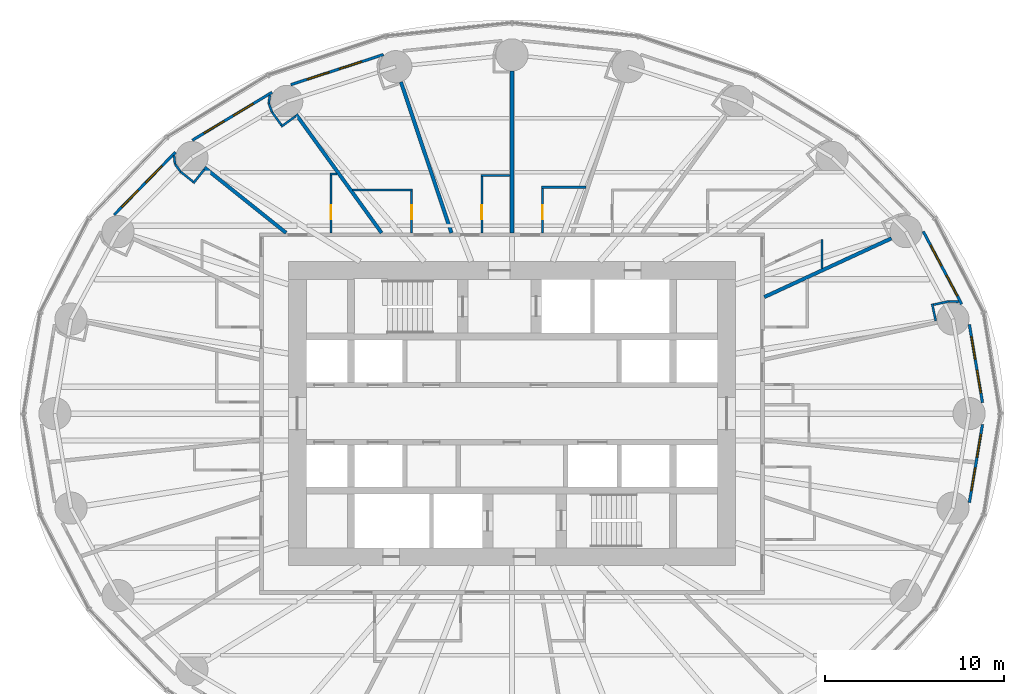
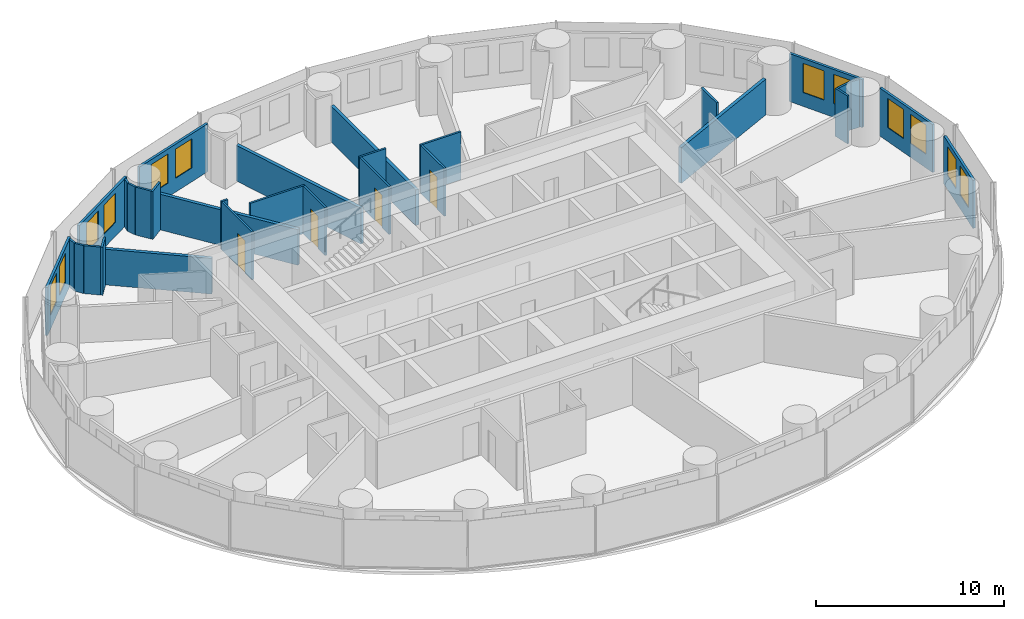
# One storey, part 10 of 13: 31 walls, 12 windows, 4 doors, 16 openings.
"""IFC4 building model written with IfcOpenShell, lengths in metres."""

import ifcopenshell
import ifcopenshell.guid

model = None  # the IFC model being written
_history = None  # IfcOwnerHistory: only IFC2X3 demands one
_inside = {}  # id of a spatial element -> (the spatial element, [elements in it])
_under = {}  # id of a project, library or spatial element -> (it, [spatial elements below it])
_declared = {}  # id of a project -> (the project, [libraries it declares])
_typed = {}  # id of a type object -> (the type object, [elements of that type])
_made_of = {}  # id of a material, layer set ... -> (it, [elements and type objects made of it])


def new_model(schema):
    """Start an empty IFC model of exactly this schema.

    Asked for "IFC4X3", IfcOpenShell would pick the latest addendum, in which some entities
    have other attributes; the version numbers below select the first issue.
    IFC2X3 requires an IfcOwnerHistory on every rooted entity: one is made here for all.
    """
    global model, _history
    if schema == "IFC4X3":
        model = ifcopenshell.file(schema_version=(4, 3, 0, 0))
    else:
        model = ifcopenshell.file(schema=schema)
    _inside.clear()
    _under.clear()
    _declared.clear()
    _typed.clear()
    _made_of.clear()
    _history = None
    if model.schema == "IFC2X3":
        org = make("IfcOrganization", Name="unknown")
        user = make(
            "IfcPersonAndOrganization",
            ThePerson=make("IfcPerson", FamilyName="unknown"),
            TheOrganization=org,
        )
        app = make(
            "IfcApplication",
            ApplicationDeveloper=org,
            Version="unknown",
            ApplicationFullName="unknown",
            ApplicationIdentifier="unknown",
        )
        _history = make(
            "IfcOwnerHistory",
            OwningUser=user,
            OwningApplication=app,
            ChangeAction="ADDED",
            CreationDate=0,
        )
    return model


def make(cls, **values):
    """One entity of the class cls with the attributes given. An attribute that is None is left unset."""
    return model.create_entity(
        cls, **{name: value for name, value in values.items() if value is not None}
    )


def rooted(cls, **values):
    """An entity with a GlobalId (a new one), such as an element, a storey or a relation."""
    return make(cls, GlobalId=ifcopenshell.guid.new(), OwnerHistory=_history, **values)


def si_unit(unit_type, name, prefix=None):
    """IfcSIUnit, for example si_unit("LENGTHUNIT", "METRE", prefix="MILLI")."""
    return make("IfcSIUnit", UnitType=unit_type, Prefix=prefix, Name=name)


def assignment(units):
    """IfcUnitAssignment: the units of a project."""
    return None if units is None else make("IfcUnitAssignment", Units=units)


def point(xyz):
    """IfcCartesianPoint."""
    return None if xyz is None else make("IfcCartesianPoint", Coordinates=xyz)


def direction(xyz):
    """IfcDirection."""
    return None if xyz is None else make("IfcDirection", DirectionRatios=xyz)


def frame(location, z_axis=None, x_axis=None):
    """IfcAxis2Placement3D, a coordinate frame: its origin and axes. An axis left out is left unset."""
    return make(
        "IfcAxis2Placement3D",
        Location=point(location),
        Axis=direction(z_axis),
        RefDirection=direction(x_axis),
    )


def frame_2d(location, x_axis=None):
    """IfcAxis2Placement2D, a coordinate frame in the plane: its origin and x axis."""
    return make(
        "IfcAxis2Placement2D", Location=point(location), RefDirection=direction(x_axis)
    )


def origin():
    """The frame at (0, 0, 0) with its axes left unset."""
    return frame((0.0, 0.0, 0.0))


def place(relative_to, where):
    """IfcLocalPlacement: puts the frame where relative to a parent placement (None: the world)."""
    return make(
        "IfcLocalPlacement", PlacementRelTo=relative_to, RelativePlacement=where
    )


def context(
    kind, dimensions, precision=None, world=None, true_north=None, identifier=None
):
    """IfcGeometricRepresentationContext, for example the 3D "Model" context."""
    return make(
        "IfcGeometricRepresentationContext",
        ContextIdentifier=identifier,
        ContextType=kind,
        CoordinateSpaceDimension=dimensions,
        Precision=precision,
        WorldCoordinateSystem=world,
        TrueNorth=true_north,
    )


def subcontext(parent, identifier, kind, view, scale=None):
    """IfcGeometricRepresentationSubContext, for example "Body" below "Model"."""
    return make(
        "IfcGeometricRepresentationSubContext",
        ContextIdentifier=identifier,
        ContextType=kind,
        ParentContext=parent,
        TargetScale=scale,
        TargetView=view,
    )


def project(units=None, contexts=None):
    """IfcProject with its units and contexts."""
    return rooted(
        "IfcProject",
        Name="project",
        RepresentationContexts=contexts,
        UnitsInContext=assignment(units),
    )


def spatial(cls, under=None, at=None, **own):
    """A site, building, storey or space (cls), placed at a placement, below another one or the project."""
    s = rooted(cls, ObjectPlacement=at, **own)
    if under is not None:
        _under.setdefault(under.id(), (under, []))[1].append(s)
    return s


def profile(cls, at=None, kind="AREA", **sizes):
    """A parametric profile (cls). Its sizes go by their IFC names, for example OverallWidth=200.0."""
    return make(cls, ProfileType=kind, Position=at, **sizes)


def rectangle(**sizes):
    """IfcRectangleProfileDef."""
    return profile("IfcRectangleProfileDef", **sizes)


def extrude(swept, where, along, depth):
    """IfcExtrudedAreaSolid: the profile swept, set in the frame where, extruded along a direction by depth."""
    return make(
        "IfcExtrudedAreaSolid",
        SweptArea=swept,
        Position=where,
        ExtrudedDirection=direction(along),
        Depth=depth,
    )


def shape(context_of_items, identifier, shape_type, items):
    """IfcShapeRepresentation: the items that make up one representation, for example the "Body"."""
    return make(
        "IfcShapeRepresentation",
        ContextOfItems=context_of_items,
        RepresentationIdentifier=identifier,
        RepresentationType=shape_type,
        Items=items,
    )


def material(Name=None, Category=None):
    """IfcMaterial."""
    return make("IfcMaterial", Name=Name, Category=Category)


def layer(
    of_material, thickness, ventilated=None, Name=None, Category=None, Priority=None
):
    """IfcMaterialLayer: one layer of a wall or slab, of a material (None: an air gap)."""
    return make(
        "IfcMaterialLayer",
        Material=of_material,
        LayerThickness=thickness,
        IsVentilated=ventilated,
        Name=Name,
        Category=Category,
        Priority=Priority,
    )


def layer_set(layers, Name=None):
    """IfcMaterialLayerSet."""
    return make("IfcMaterialLayerSet", MaterialLayers=layers, LayerSetName=Name)


def made_of(thing, what):
    """Note that an element or type object is made of a material, layer set ...; save() writes the relation."""
    if what is not None:
        _made_of.setdefault(what.id(), (what, []))[1].append(thing)
    return thing


def type_object(cls, material=None, **own):
    """A type object (cls), such as IfcWallType, which elements share."""
    return made_of(rooted(cls, **own), material)


def element(
    cls,
    number,
    at=None,
    inside=None,
    cuts=None,
    type_object=None,
    material=None,
    context=None,
    identifier="Body",
    shape_type=None,
    held_by="IfcProductDefinitionShape",
    body=None,
    shapes=None,
    **own,
):
    """One element of the class cls, such as IfcWall. Its Tag is "e" and its number.

    at: its placement. inside: the storey or other place that contains it. cuts: it is an
    opening in that element (IfcRelVoidsElement). A single representation is given by context,
    identifier, shape_type and body (its items); several are given by shapes. held_by: the class
    of the entity that holds the representations. save() writes the other relations.
    """
    e = rooted(cls, Tag="e%d" % number, ObjectPlacement=at, **own)
    if body is not None:
        shapes = [shape(context, identifier, shape_type, body)]
    if shapes is not None:
        e.Representation = make(held_by, Representations=shapes)
    if inside is not None:
        _inside.setdefault(inside.id(), (inside, []))[1].append(e)
    if cuts is not None:
        rooted(
            "IfcRelVoidsElement", RelatingBuildingElement=cuts, RelatedOpeningElement=e
        )
    if type_object is not None:
        _typed.setdefault(type_object.id(), (type_object, []))[1].append(e)
    return made_of(e, material)


def fill(opening, filler):
    """IfcRelFillsElement: the door or window that sits in an opening."""
    return rooted(
        "IfcRelFillsElement",
        RelatingOpeningElement=opening,
        RelatedBuildingElement=filler,
    )


def aggregate(whole, parts):
    """IfcRelAggregates: a whole, such as a stair, and the parts it consists of."""
    return rooted("IfcRelAggregates", RelatingObject=whole, RelatedObjects=parts)


def save(model, path):
    """Write the relations noted so far, then the file.

    IfcRelAggregates (storeys below a building ...), IfcRelContainedInSpatialStructure (elements
    in a storey), IfcRelDefinesByType, IfcRelAssociatesMaterial and IfcRelDeclares: one each for
    every whole, place, type object, material and project.
    """
    for whole, parts in _under.values():
        aggregate(whole, parts)
    for where, things in _inside.values():
        rooted(
            "IfcRelContainedInSpatialStructure",
            RelatedElements=things,
            RelatingStructure=where,
        )
    for kind, things in _typed.values():
        rooted("IfcRelDefinesByType", RelatedObjects=things, RelatingType=kind)
    for what, things in _made_of.values():
        rooted("IfcRelAssociatesMaterial", RelatedObjects=things, RelatingMaterial=what)
    for by, libraries in _declared.values():
        rooted("IfcRelDeclares", RelatingContext=by, RelatedDefinitions=libraries)
    model.write(path)


model = new_model("IFC4")

# Units and contexts
model_context = context("Model", 3, precision=1e-05, world=origin(), true_north=direction((0.0, 1.0)))
body_context = subcontext(model_context, "Body", "Model", "MODEL_VIEW")
ifc_project = project(units=[si_unit("LENGTHUNIT", "METRE"), si_unit("AREAUNIT", "SQUARE_METRE"), si_unit("VOLUMEUNIT", "CUBIC_METRE"), si_unit("PLANEANGLEUNIT", "RADIAN"), si_unit("MASSUNIT", "GRAM", prefix="KILO")], contexts=[model_context])

# Site, building, storey
site_placement = place(None, origin())
site = spatial("IfcSite", under=ifc_project, at=site_placement, CompositionType="ELEMENT")
building_placement = place(site_placement, origin())
building = spatial("IfcBuilding", under=site, at=building_placement, Name="Hankou Lantern Tower", CompositionType="ELEMENT")
storey_placement = place(building_placement, frame((0.0, 0.0, 39.300048828125)))
storey = spatial("IfcBuildingStorey", under=building, at=storey_placement, Name="L08", CompositionType="ELEMENT", Elevation=39.300048828125)

# Wall, openings, windows
ifc_material_1 = material(Name="Aluminium spandrel panel on steel studs", Category="steel")
ifc_layer_1 = layer(ifc_material_1, 0.14990234375)
ifc_layer_set_1 = layer_set([ifc_layer_1], Name="Aluminium spandrel panel on steel studs")
wall_type_1 = type_object("IfcWallType", Name="EW1 INNER SKIN WALL 150", PredefinedType="ELEMENTEDWALL", material=ifc_layer_set_1)
wall_1_placement = place(storey_placement, frame((26.29736328125, 0.611083984375, 0.0), z_axis=(0.0, 0.0, 1.0), x_axis=(-0.165641751141, 0.986185991727, 0.0)))
wall_1 = element("IfcWall", 1, at=wall_1_placement, inside=storey, type_object=wall_type_1, Name="Inner skin R01-R02 L08", PredefinedType="ELEMENTEDWALL", context=body_context, shape_type="SweptSolid", body=[
    extrude(rectangle(XDim=4.427734375, YDim=0.14990234375, at=frame_2d((2.2138671875, 0.0))), origin(), (0.0, 0.0, 1.0), 3.119873046875),
])
opening_1_placement = place(wall_1_placement, frame((0.5498046875, 0.0, 0.89990234375)))
opening_1 = element("IfcOpeningElement", 2, at=opening_1_placement, cuts=wall_1, Name="Opening W9", PredefinedType="OPENING", context=body_context, shape_type="SweptSolid", body=[
    extrude(rectangle(XDim=1.300048828125, YDim=1.89990234375, at=frame_2d((0.64990234375, 0.949951171875))), frame((0.0, 0.0849609375, 0.0), z_axis=(0.0, -1.0, 0.0), x_axis=(1.0, 0.0, 0.0)), (0.0, 0.0, 1.0), 0.169921875),
])
opening_2_placement = place(wall_1_placement, frame((2.44970703125, 0.0, 0.89990234375)))
opening_2 = element("IfcOpeningElement", 3, at=opening_2_placement, cuts=wall_1, Name="Opening W9", PredefinedType="OPENING", context=body_context, shape_type="SweptSolid", body=[
    extrude(rectangle(XDim=1.300048828125, YDim=1.89990234375, at=frame_2d((0.64990234375, 0.949951171875))), frame((0.0, 0.0849609375, 0.0), z_axis=(0.0, -1.0, 0.0), x_axis=(1.0, 0.0, 0.0)), (0.0, 0.0, 1.0), 0.169921875),
])
ifc_material_2 = material(Name="Aluminium framed double glazed window", Category="aluminium")
window_type = type_object("IfcWindowType", Name="W9 GUEST ROOM WINDOW 1300X1900", PartitioningType="DOUBLE_PANEL_VERTICAL", PredefinedType="WINDOW", material=ifc_material_2)
window_1_placement = place(opening_1_placement, origin())
window_1 = element("IfcWindow", 4, at=window_1_placement, inside=storey, type_object=window_type, Name="Window R01.1 L08", OverallHeight=1.89990234375, OverallWidth=1.300048828125, PartitioningType="SINGLE_PANEL", PredefinedType="WINDOW", context=body_context, shape_type="SweptSolid", body=[
    extrude(rectangle(XDim=1.300048828125, YDim=1.89990234375, at=frame_2d((0.64990234375, 0.949951171875))), frame((0.0, 0.030029296875, 0.0), z_axis=(0.0, -1.0, 0.0), x_axis=(1.0, 0.0, 0.0)), (0.0, 0.0, 1.0), 0.06005859375),
])
fill(opening_1, window_1)
window_2_placement = place(opening_2_placement, origin())
window_2 = element("IfcWindow", 5, at=window_2_placement, inside=storey, type_object=window_type, Name="Window R01.2 L08", OverallHeight=1.89990234375, OverallWidth=1.300048828125, PartitioningType="SINGLE_PANEL", PredefinedType="WINDOW", context=body_context, shape_type="SweptSolid", body=[
    extrude(rectangle(XDim=1.300048828125, YDim=1.89990234375, at=frame_2d((0.64990234375, 0.949951171875))), frame((0.0, 0.030029296875, 0.0), z_axis=(0.0, -1.0, 0.0), x_axis=(1.0, 0.0, 0.0)), (0.0, 0.0, 1.0), 0.06005859375),
])
fill(opening_2, window_2)

wall_2_placement = place(storey_placement, frame((25.138671875, 6.11279296875, 0.0), z_axis=(0.0, 0.0, 1.0), x_axis=(-0.467303182954, 0.884097129959, 0.0)))
wall_2 = element("IfcWall", 6, at=wall_2_placement, inside=storey, type_object=wall_type_1, Name="Inner skin R02-R03 L08", PredefinedType="ELEMENTEDWALL", context=body_context, shape_type="SweptSolid", body=[
    extrude(rectangle(XDim=4.6064453125, YDim=0.14990234375, at=frame_2d((2.30322265625, 0.0))), origin(), (0.0, 0.0, 1.0), 3.119873046875),
])
opening_3_placement = place(wall_2_placement, frame((0.531494140625, 0.0, 0.89990234375)))
opening_3 = element("IfcOpeningElement", 7, at=opening_3_placement, cuts=wall_2, Name="Opening W9", PredefinedType="OPENING", context=body_context, shape_type="SweptSolid", body=[
    extrude(rectangle(XDim=1.300048828125, YDim=1.89990234375, at=frame_2d((0.64990234375, 0.949951171875))), frame((0.0, 0.0849609375, 0.0), z_axis=(0.0, -1.0, 0.0), x_axis=(1.0, 0.0, 0.0)), (0.0, 0.0, 1.0), 0.169921875),
])
opening_4_placement = place(wall_2_placement, frame((2.431640625, 0.0, 0.89990234375)))
opening_4 = element("IfcOpeningElement", 8, at=opening_4_placement, cuts=wall_2, Name="Opening W9", PredefinedType="OPENING", context=body_context, shape_type="SweptSolid", body=[
    extrude(rectangle(XDim=1.300048828125, YDim=1.89990234375, at=frame_2d((0.64990234375, 0.949951171875))), frame((0.0, 0.0849609375, 0.0), z_axis=(0.0, -1.0, 0.0), x_axis=(1.0, 0.0, 0.0)), (0.0, 0.0, 1.0), 0.169921875),
])
window_3_placement = place(opening_3_placement, origin())
window_3 = element("IfcWindow", 9, at=window_3_placement, inside=storey, type_object=window_type, Name="Window R02.1 L08", OverallHeight=1.89990234375, OverallWidth=1.300048828125, PartitioningType="SINGLE_PANEL", PredefinedType="WINDOW", context=body_context, shape_type="SweptSolid", body=[
    extrude(rectangle(XDim=1.300048828125, YDim=1.89990234375, at=frame_2d((0.64990234375, 0.949951171875))), frame((0.0, 0.030029296875, 0.0), z_axis=(0.0, -1.0, 0.0), x_axis=(1.0, 0.0, 0.0)), (0.0, 0.0, 1.0), 0.06005859375),
])
fill(opening_3, window_3)
window_4_placement = place(opening_4_placement, origin())
window_4 = element("IfcWindow", 10, at=window_4_placement, inside=storey, type_object=window_type, Name="Window R02.2 L08", OverallHeight=1.89990234375, OverallWidth=1.300048828125, PartitioningType="SINGLE_PANEL", PredefinedType="WINDOW", context=body_context, shape_type="SweptSolid", body=[
    extrude(rectangle(XDim=1.300048828125, YDim=1.89990234375, at=frame_2d((0.64990234375, 0.949951171875))), frame((0.0, 0.030029296875, 0.0), z_axis=(0.0, -1.0, 0.0), x_axis=(1.0, 0.0, 0.0)), (0.0, 0.0, 1.0), 0.06005859375),
])
fill(opening_4, window_4)

wall_3_placement = place(storey_placement, frame((-7.188232421875, 20.06494140625, 0.0), z_axis=(0.0, 0.0, 1.0), x_axis=(-0.951138486029, -0.308764603532, 0.0)))
wall_3 = element("IfcWall", 11, at=wall_3_placement, inside=storey, type_object=wall_type_1, Name="Inner skin R08-R09 L08", PredefinedType="ELEMENTEDWALL", context=body_context, shape_type="SweptSolid", body=[
    extrude(rectangle(XDim=5.444091796875, YDim=0.14990234375, at=frame_2d((2.72216796875, 0.0))), origin(), (0.0, 0.0, 1.0), 3.119873046875),
])
opening_5_placement = place(wall_3_placement, frame((1.2841796875, 0.0, 0.89990234375)))
opening_5 = element("IfcOpeningElement", 12, at=opening_5_placement, cuts=wall_3, Name="Opening W9", PredefinedType="OPENING", context=body_context, shape_type="SweptSolid", body=[
    extrude(rectangle(XDim=1.300048828125, YDim=1.89990234375, at=frame_2d((0.64990234375, 0.949951171875))), frame((0.0, 0.0849609375, 0.0), z_axis=(0.0, -1.0, 0.0), x_axis=(1.0, 0.0, 0.0)), (0.0, 0.0, 1.0), 0.169921875),
])
opening_6_placement = place(wall_3_placement, frame((3.18408203125, 0.0, 0.89990234375)))
opening_6 = element("IfcOpeningElement", 13, at=opening_6_placement, cuts=wall_3, Name="Opening W9", PredefinedType="OPENING", context=body_context, shape_type="SweptSolid", body=[
    extrude(rectangle(XDim=1.300048828125, YDim=1.89990234375, at=frame_2d((0.64990234375, 0.949951171875))), frame((0.0, 0.0849609375, 0.0), z_axis=(0.0, -1.0, 0.0), x_axis=(1.0, 0.0, 0.0)), (0.0, 0.0, 1.0), 0.169921875),
])
window_5_placement = place(opening_5_placement, origin())
window_5 = element("IfcWindow", 14, at=window_5_placement, inside=storey, type_object=window_type, Name="Window R08.1 L08", OverallHeight=1.89990234375, OverallWidth=1.300048828125, PartitioningType="SINGLE_PANEL", PredefinedType="WINDOW", context=body_context, shape_type="SweptSolid", body=[
    extrude(rectangle(XDim=1.300048828125, YDim=1.89990234375, at=frame_2d((0.64990234375, 0.949951171875))), frame((0.0, 0.030029296875, 0.0), z_axis=(0.0, -1.0, 0.0), x_axis=(1.0, 0.0, 0.0)), (0.0, 0.0, 1.0), 0.06005859375),
])
fill(opening_5, window_5)
window_6_placement = place(opening_6_placement, origin())
window_6 = element("IfcWindow", 15, at=window_6_placement, inside=storey, type_object=window_type, Name="Window R08.2 L08", OverallHeight=1.89990234375, OverallWidth=1.300048828125, PartitioningType="SINGLE_PANEL", PredefinedType="WINDOW", context=body_context, shape_type="SweptSolid", body=[
    extrude(rectangle(XDim=1.300048828125, YDim=1.89990234375, at=frame_2d((0.64990234375, 0.949951171875))), frame((0.0, 0.030029296875, 0.0), z_axis=(0.0, -1.0, 0.0), x_axis=(1.0, 0.0, 0.0)), (0.0, 0.0, 1.0), 0.06005859375),
])
fill(opening_6, window_6)

wall_4_placement = place(storey_placement, frame((-13.412109375, 17.957275390625, 0.0), z_axis=(0.0, 0.0, 1.0), x_axis=(-0.856958191554, -0.515385931054, 0.0)))
wall_4 = element("IfcWall", 16, at=wall_4_placement, inside=storey, type_object=wall_type_1, Name="Inner skin R09-R10 L08", PredefinedType="ELEMENTEDWALL", context=body_context, shape_type="SweptSolid", body=[
    extrude(rectangle(XDim=5.201171875, YDim=0.14990234375, at=frame_2d((2.6005859375, 0.0))), origin(), (0.0, 0.0, 1.0), 3.119873046875),
])
opening_7_placement = place(wall_4_placement, frame((1.22509765625, 0.0, 0.89990234375)))
opening_7 = element("IfcOpeningElement", 17, at=opening_7_placement, cuts=wall_4, Name="Opening W9", PredefinedType="OPENING", context=body_context, shape_type="SweptSolid", body=[
    extrude(rectangle(XDim=1.300048828125, YDim=1.89990234375, at=frame_2d((0.64990234375, 0.949951171875))), frame((0.0, 0.0849609375, 0.0), z_axis=(0.0, -1.0, 0.0), x_axis=(1.0, 0.0, 0.0)), (0.0, 0.0, 1.0), 0.169921875),
])
opening_8_placement = place(wall_4_placement, frame((3.125, 0.0, 0.89990234375)))
opening_8 = element("IfcOpeningElement", 18, at=opening_8_placement, cuts=wall_4, Name="Opening W9", PredefinedType="OPENING", context=body_context, shape_type="SweptSolid", body=[
    extrude(rectangle(XDim=1.300048828125, YDim=1.89990234375, at=frame_2d((0.64990234375, 0.949951171875))), frame((0.0, 0.0849609375, 0.0), z_axis=(0.0, -1.0, 0.0), x_axis=(1.0, 0.0, 0.0)), (0.0, 0.0, 1.0), 0.169921875),
])
window_7_placement = place(opening_7_placement, origin())
window_7 = element("IfcWindow", 19, at=window_7_placement, inside=storey, type_object=window_type, Name="Window R09.1 L08", OverallHeight=1.89990234375, OverallWidth=1.300048828125, PartitioningType="SINGLE_PANEL", PredefinedType="WINDOW", context=body_context, shape_type="SweptSolid", body=[
    extrude(rectangle(XDim=1.300048828125, YDim=1.89990234375, at=frame_2d((0.64990234375, 0.949951171875))), frame((0.0, 0.030029296875, 0.0), z_axis=(0.0, -1.0, 0.0), x_axis=(1.0, 0.0, 0.0)), (0.0, 0.0, 1.0), 0.06005859375),
])
fill(opening_7, window_7)
window_8_placement = place(opening_8_placement, origin())
window_8 = element("IfcWindow", 20, at=window_8_placement, inside=storey, type_object=window_type, Name="Window R09.2 L08", OverallHeight=1.89990234375, OverallWidth=1.300048828125, PartitioningType="SINGLE_PANEL", PredefinedType="WINDOW", context=body_context, shape_type="SweptSolid", body=[
    extrude(rectangle(XDim=1.300048828125, YDim=1.89990234375, at=frame_2d((0.64990234375, 0.949951171875))), frame((0.0, 0.030029296875, 0.0), z_axis=(0.0, -1.0, 0.0), x_axis=(1.0, 0.0, 0.0)), (0.0, 0.0, 1.0), 0.06005859375),
])
fill(opening_8, window_8)

wall_5_placement = place(storey_placement, frame((-18.8134765625, 14.606689453125, 0.0), z_axis=(0.0, 0.0, 1.0), x_axis=(-0.699612594083, -0.714522370679, 0.0)))
wall_5 = element("IfcWall", 21, at=wall_5_placement, inside=storey, type_object=wall_type_1, Name="Inner skin R10-R11 L08", PredefinedType="ELEMENTEDWALL", context=body_context, shape_type="SweptSolid", body=[
    extrude(rectangle(XDim=4.89599609375, YDim=0.14990234375, at=frame_2d((2.447998046875, 0.0))), origin(), (0.0, 0.0, 1.0), 3.119873046875),
])
opening_9_placement = place(wall_5_placement, frame((1.076904296875, 0.0, 0.89990234375)))
opening_9 = element("IfcOpeningElement", 22, at=opening_9_placement, cuts=wall_5, Name="Opening W9", PredefinedType="OPENING", context=body_context, shape_type="SweptSolid", body=[
    extrude(rectangle(XDim=1.300048828125, YDim=1.89990234375, at=frame_2d((0.64990234375, 0.949951171875))), frame((0.0, 0.0849609375, 0.0), z_axis=(0.0, -1.0, 0.0), x_axis=(1.0, 0.0, 0.0)), (0.0, 0.0, 1.0), 0.169921875),
])
opening_10_placement = place(wall_5_placement, frame((2.976806640625, 0.0, 0.89990234375)))
opening_10 = element("IfcOpeningElement", 23, at=opening_10_placement, cuts=wall_5, Name="Opening W9", PredefinedType="OPENING", context=body_context, shape_type="SweptSolid", body=[
    extrude(rectangle(XDim=1.300048828125, YDim=1.89990234375, at=frame_2d((0.64990234375, 0.949951171875))), frame((0.0, 0.0849609375, 0.0), z_axis=(0.0, -1.0, 0.0), x_axis=(1.0, 0.0, 0.0)), (0.0, 0.0, 1.0), 0.169921875),
])
window_9_placement = place(opening_9_placement, origin())
window_9 = element("IfcWindow", 24, at=window_9_placement, inside=storey, type_object=window_type, Name="Window R10.1 L08", OverallHeight=1.89990234375, OverallWidth=1.300048828125, PartitioningType="SINGLE_PANEL", PredefinedType="WINDOW", context=body_context, shape_type="SweptSolid", body=[
    extrude(rectangle(XDim=1.300048828125, YDim=1.89990234375, at=frame_2d((0.64990234375, 0.949951171875))), frame((0.0, 0.030029296875, 0.0), z_axis=(0.0, -1.0, 0.0), x_axis=(1.0, 0.0, 0.0)), (0.0, 0.0, 1.0), 0.06005859375),
])
fill(opening_9, window_9)
window_10_placement = place(opening_10_placement, origin())
window_10 = element("IfcWindow", 25, at=window_10_placement, inside=storey, type_object=window_type, Name="Window R10.2 L08", OverallHeight=1.89990234375, OverallWidth=1.300048828125, PartitioningType="SINGLE_PANEL", PredefinedType="WINDOW", context=body_context, shape_type="SweptSolid", body=[
    extrude(rectangle(XDim=1.300048828125, YDim=1.89990234375, at=frame_2d((0.64990234375, 0.949951171875))), frame((0.0, 0.030029296875, 0.0), z_axis=(0.0, -1.0, 0.0), x_axis=(1.0, 0.0, 0.0)), (0.0, 0.0, 1.0), 0.06005859375),
])
fill(opening_10, window_10)

wall_6_placement = place(storey_placement, frame((25.56396484375, -4.9775390625, 0.0), z_axis=(0.0, 0.0, 1.0), x_axis=(0.165641751141, 0.986185991727, 0.0)))
wall_6 = element("IfcWall", 26, at=wall_6_placement, inside=storey, type_object=wall_type_1, Name="Inner skin R24-R01 L08", PredefinedType="ELEMENTEDWALL", context=body_context, shape_type="SweptSolid", body=[
    extrude(rectangle(XDim=4.427734375, YDim=0.14990234375, at=frame_2d((2.2138671875, 0.0))), origin(), (0.0, 0.0, 1.0), 3.119873046875),
])
opening_11_placement = place(wall_6_placement, frame((0.677734375, 0.0, 0.89990234375)))
opening_11 = element("IfcOpeningElement", 27, at=opening_11_placement, cuts=wall_6, Name="Opening W9", PredefinedType="OPENING", context=body_context, shape_type="SweptSolid", body=[
    extrude(rectangle(XDim=1.300048828125, YDim=1.89990234375, at=frame_2d((0.64990234375, 0.949951171875))), frame((0.0, 0.0849609375, 0.0), z_axis=(0.0, -1.0, 0.0), x_axis=(1.0, 0.0, 0.0)), (0.0, 0.0, 1.0), 0.169921875),
])
opening_12_placement = place(wall_6_placement, frame((2.57763671875, 0.0, 0.89990234375)))
opening_12 = element("IfcOpeningElement", 28, at=opening_12_placement, cuts=wall_6, Name="Opening W9", PredefinedType="OPENING", context=body_context, shape_type="SweptSolid", body=[
    extrude(rectangle(XDim=1.300048828125, YDim=1.89990234375, at=frame_2d((0.64990234375, 0.949951171875))), frame((0.0, 0.0849609375, 0.0), z_axis=(0.0, -1.0, 0.0), x_axis=(1.0, 0.0, 0.0)), (0.0, 0.0, 1.0), 0.169921875),
])
window_11_placement = place(opening_11_placement, origin())
window_11 = element("IfcWindow", 29, at=window_11_placement, inside=storey, type_object=window_type, Name="Window R24.1 L08", OverallHeight=1.89990234375, OverallWidth=1.300048828125, PartitioningType="SINGLE_PANEL", PredefinedType="WINDOW", context=body_context, shape_type="SweptSolid", body=[
    extrude(rectangle(XDim=1.300048828125, YDim=1.89990234375, at=frame_2d((0.64990234375, 0.949951171875))), frame((0.0, 0.030029296875, 0.0), z_axis=(0.0, -1.0, 0.0), x_axis=(1.0, 0.0, 0.0)), (0.0, 0.0, 1.0), 0.06005859375),
])
fill(opening_11, window_11)
window_12_placement = place(opening_12_placement, origin())
window_12 = element("IfcWindow", 30, at=window_12_placement, inside=storey, type_object=window_type, Name="Window R24.2 L08", OverallHeight=1.89990234375, OverallWidth=1.300048828125, PartitioningType="SINGLE_PANEL", PredefinedType="WINDOW", context=body_context, shape_type="SweptSolid", body=[
    extrude(rectangle(XDim=1.300048828125, YDim=1.89990234375, at=frame_2d((0.64990234375, 0.949951171875))), frame((0.0, 0.030029296875, 0.0), z_axis=(0.0, -1.0, 0.0), x_axis=(1.0, 0.0, 0.0)), (0.0, 0.0, 1.0), 0.06005859375),
])
fill(opening_12, window_12)

# Walls
ifc_material_3 = material(Name="Masonry lightweight concrete block", Category="masonry")
ifc_layer_2 = layer(ifc_material_3, 0.199951171875)
ifc_layer_set_2 = layer_set([ifc_layer_2], Name="Masonry lightweight concrete block")
wall_type_2 = type_object("IfcWallType", Name="IW1 GUEST ROOM PARTY WALL 200", PredefinedType="PARTITIONING", material=ifc_layer_set_2)
wall_7_placement = place(storey_placement, frame((14.10009765625, 6.512451171875, 0.0), z_axis=(0.0, 0.0, 1.0), x_axis=(0.907842433118, 0.41931147925, 0.0)))
element("IfcWall", 31, at=wall_7_placement, inside=storey, type_object=wall_type_2, Name="Party wall R03", PredefinedType="PARTITIONING", context=body_context, shape_type="SweptSolid", body=[
    extrude(rectangle(XDim=7.822998046875, YDim=0.199951171875, at=frame_2d((3.91162109375, 0.0))), origin(), (0.0, 0.0, 1.0), 2.320068359375),
])
wall_8_placement = place(storey_placement, frame((0.0, 10.10009765625, 0.0), z_axis=(0.0, 0.0, 1.0), x_axis=(0.0, 1.0, 0.0)))
element("IfcWall", 32, at=wall_8_placement, inside=storey, type_object=wall_type_2, Name="Party wall R07", PredefinedType="PARTITIONING", context=body_context, shape_type="SweptSolid", body=[
    extrude(rectangle(XDim=9.0498046875, YDim=0.199951171875, at=frame_2d((4.52490234375, 0.0))), origin(), (0.0, 0.0, 1.0), 2.320068359375),
])
wall_9_placement = place(storey_placement, frame((-3.3828125, 10.10009765625, 0.0), z_axis=(0.0, 0.0, 1.0), x_axis=(-0.317593727596, 0.948226884344, 0.0)))
element("IfcWall", 33, at=wall_9_placement, inside=storey, type_object=wall_type_2, Name="Party wall R08", PredefinedType="PARTITIONING", context=body_context, shape_type="SweptSolid", body=[
    extrude(rectangle(XDim=8.898681640625, YDim=0.199951171875, at=frame_2d((4.44921875, 0.0))), origin(), (0.0, 0.0, 1.0), 2.320068359375),
])
wall_10_placement = place(storey_placement, frame((-7.2890625, 10.10009765625, 0.0), z_axis=(0.0, 0.0, 1.0), x_axis=(-0.585216319319, 0.810877216108, 0.0)))
element("IfcWall", 34, at=wall_10_placement, inside=storey, type_object=wall_type_2, Name="Party wall R09", PredefinedType="PARTITIONING", context=body_context, shape_type="SweptSolid", body=[
    extrude(rectangle(XDim=8.15966796875, YDim=0.199951171875, at=frame_2d((4.079833984375, 0.0))), origin(), (0.0, 0.0, 1.0), 2.320068359375),
])
wall_11_placement = place(storey_placement, frame((-12.625, 10.10009765625, 0.0), z_axis=(0.0, 0.0, 1.0), x_axis=(-0.780872884676, 0.624689953479, 0.0)))
element("IfcWall", 35, at=wall_11_placement, inside=storey, type_object=wall_type_2, Name="Party wall R10", PredefinedType="PARTITIONING", context=body_context, shape_type="SweptSolid", body=[
    extrude(rectangle(XDim=5.8447265625, YDim=0.199951171875, at=frame_2d((2.92236328125, 0.0))), origin(), (0.0, 0.0, 1.0), 2.320068359375),
])
ifc_material_4 = material(Name="Masonry lightweight concrete block", Category="masonry")
ifc_layer_3 = layer(ifc_material_4, 0.1201171875)
ifc_layer_set_3 = layer_set([ifc_layer_3], Name="Masonry lightweight concrete block")
wall_type_3 = type_object("IfcWallType", Name="IW3 BATHROOM WALL 120", PredefinedType="PARTITIONING", material=ifc_layer_set_3)
wall_12_placement = place(storey_placement, frame((17.32275390625, 8.10107421875, 0.0), z_axis=(0.0, 0.0, 1.0), x_axis=(0.0, 1.0, 0.0)))
element("IfcWall", 36, at=wall_12_placement, inside=storey, type_object=wall_type_3, Name="Box wall 0803 1", PredefinedType="PARTITIONING", context=body_context, shape_type="SweptSolid", body=[
    extrude(rectangle(XDim=1.639892578125, YDim=0.1201171875, at=frame_2d((0.81982421875, 0.0))), origin(), (0.0, 0.0, 1.0), 3.119873046875),
])
wall_13_placement = place(storey_placement, frame((4.136962890625, 12.64990234375, 0.0), z_axis=(0.0, 0.0, 1.0), x_axis=(-1.0, 0.0, 0.0)))
element("IfcWall", 37, at=wall_13_placement, inside=storey, type_object=wall_type_3, Name="Box wall 0806 1", PredefinedType="PARTITIONING", context=body_context, shape_type="SweptSolid", body=[
    extrude(rectangle(XDim=2.494140625, YDim=0.1201171875, at=frame_2d((1.2470703125, 0.0))), origin(), (0.0, 0.0, 1.0), 3.119873046875),
])

# Wall, opening, door
wall_14_placement = place(storey_placement, frame((1.702880859375, 10.10009765625, 0.0), z_axis=(0.0, 0.0, 1.0), x_axis=(0.0, 1.0, 0.0)))
wall_14 = element("IfcWall", 38, at=wall_14_placement, inside=storey, type_object=wall_type_3, Name="Box wall 0806 1", PredefinedType="PARTITIONING", context=body_context, shape_type="SweptSolid", body=[
    extrude(rectangle(XDim=2.489990234375, YDim=0.1201171875, at=frame_2d((1.2451171875, 0.0))), origin(), (0.0, 0.0, 1.0), 3.119873046875),
])
opening_13_placement = place(wall_14_placement, frame((0.75, 0.0, 0.0)))
opening_13 = element("IfcOpeningElement", 39, at=opening_13_placement, cuts=wall_14, Name="Opening D3", PredefinedType="OPENING", context=body_context, shape_type="SweptSolid", body=[
    extrude(rectangle(XDim=0.800048828125, YDim=2.10009765625, at=frame_2d((0.39990234375, 1.050048828125))), frame((0.0, 0.070068359375, 0.0), z_axis=(0.0, -1.0, 0.0), x_axis=(1.0, 0.0, 0.0)), (0.0, 0.0, 1.0), 0.14013671875),
])
ifc_material_5 = material(Name="Timber door leaf", Category="wood")
door_type = type_object("IfcDoorType", Name="D3 BATHROOM DOOR 800X2100", OperationType="SINGLE_SWING_LEFT", PredefinedType="DOOR", material=ifc_material_5)
door_1_placement = place(opening_13_placement, origin())
door_1 = element("IfcDoor", 40, at=door_1_placement, inside=storey, type_object=door_type, Name="En-suite bathroom 0806 door", OperationType="SINGLE_SWING_LEFT", OverallHeight=2.10009765625, OverallWidth=0.800048828125, PredefinedType="DOOR", context=body_context, shape_type="SweptSolid", body=[
    extrude(rectangle(XDim=0.800048828125, YDim=2.10009765625, at=frame_2d((0.39990234375, 1.050048828125))), frame((0.0, 0.02490234375, 0.0), z_axis=(0.0, -1.0, 0.0), x_axis=(1.0, 0.0, 0.0)), (0.0, 0.0, 1.0), 0.050048828125),
])
fill(opening_13, door_1)

# Wall
wall_15_placement = place(storey_placement, frame((-0.10009765625, 13.300048828125, 0.0), z_axis=(0.0, 0.0, 1.0), x_axis=(-1.0, 0.0, 0.0)))
element("IfcWall", 41, at=wall_15_placement, inside=storey, type_object=wall_type_3, Name="Box wall 0807 1", PredefinedType="PARTITIONING", context=body_context, shape_type="SweptSolid", body=[
    extrude(rectangle(XDim=1.639892578125, YDim=0.1201171875, at=frame_2d((0.81982421875, 0.0))), origin(), (0.0, 0.0, 1.0), 3.119873046875),
])

# Wall, opening, door
wall_16_placement = place(storey_placement, frame((-1.679931640625, 10.10009765625, 0.0), z_axis=(0.0, 0.0, 1.0), x_axis=(0.0, 1.0, 0.0)))
wall_16 = element("IfcWall", 42, at=wall_16_placement, inside=storey, type_object=wall_type_3, Name="Box wall 0807 1", PredefinedType="PARTITIONING", context=body_context, shape_type="SweptSolid", body=[
    extrude(rectangle(XDim=3.139892578125, YDim=0.1201171875, at=frame_2d((1.56982421875, 0.0))), origin(), (0.0, 0.0, 1.0), 3.119873046875),
])
opening_14_placement = place(wall_16_placement, frame((0.75, 0.0, 0.0)))
opening_14 = element("IfcOpeningElement", 43, at=opening_14_placement, cuts=wall_16, Name="Opening D3", PredefinedType="OPENING", context=body_context, shape_type="SweptSolid", body=[
    extrude(rectangle(XDim=0.800048828125, YDim=2.10009765625, at=frame_2d((0.39990234375, 1.050048828125))), frame((0.0, 0.070068359375, 0.0), z_axis=(0.0, -1.0, 0.0), x_axis=(1.0, 0.0, 0.0)), (0.0, 0.0, 1.0), 0.14013671875),
])
door_2_placement = place(opening_14_placement, origin())
door_2 = element("IfcDoor", 44, at=door_2_placement, inside=storey, type_object=door_type, Name="En-suite bathroom 0807 door", OperationType="SINGLE_SWING_LEFT", OverallHeight=2.10009765625, OverallWidth=0.800048828125, PredefinedType="DOOR", context=body_context, shape_type="SweptSolid", body=[
    extrude(rectangle(XDim=0.800048828125, YDim=2.10009765625, at=frame_2d((0.39990234375, 1.050048828125))), frame((0.0, 0.02490234375, 0.0), z_axis=(0.0, -1.0, 0.0), x_axis=(1.0, 0.0, 0.0)), (0.0, 0.0, 1.0), 0.050048828125),
])
fill(opening_14, door_2)

# Wall
wall_17_placement = place(storey_placement, frame((-8.921142578125, 12.5, 0.0), z_axis=(0.0, 0.0, 1.0), x_axis=(1.0, 0.0, 0.0)))
element("IfcWall", 45, at=wall_17_placement, inside=storey, type_object=wall_type_3, Name="Box wall 0808 1", PredefinedType="PARTITIONING", context=body_context, shape_type="SweptSolid", body=[
    extrude(rectangle(XDim=3.3720703125, YDim=0.1201171875, at=frame_2d((1.68603515625, 0.0))), origin(), (0.0, 0.0, 1.0), 3.119873046875),
])

# Wall, opening, door
wall_18_placement = place(storey_placement, frame((-5.609130859375, 10.10009765625, 0.0), z_axis=(0.0, 0.0, 1.0), x_axis=(0.0, 1.0, 0.0)))
wall_18 = element("IfcWall", 46, at=wall_18_placement, inside=storey, type_object=wall_type_3, Name="Box wall 0808 1", PredefinedType="PARTITIONING", context=body_context, shape_type="SweptSolid", body=[
    extrude(rectangle(XDim=2.33984375, YDim=0.1201171875, at=frame_2d((1.169921875, 0.0))), origin(), (0.0, 0.0, 1.0), 3.119873046875),
])
opening_15_placement = place(wall_18_placement, frame((0.75, 0.0, 0.0)))
opening_15 = element("IfcOpeningElement", 47, at=opening_15_placement, cuts=wall_18, Name="Opening D3", PredefinedType="OPENING", context=body_context, shape_type="SweptSolid", body=[
    extrude(rectangle(XDim=0.800048828125, YDim=2.10009765625, at=frame_2d((0.39990234375, 1.050048828125))), frame((0.0, 0.070068359375, 0.0), z_axis=(0.0, -1.0, 0.0), x_axis=(1.0, 0.0, 0.0)), (0.0, 0.0, 1.0), 0.14013671875),
])
door_3_placement = place(opening_15_placement, origin())
door_3 = element("IfcDoor", 48, at=door_3_placement, inside=storey, type_object=door_type, Name="En-suite bathroom 0808 door", OperationType="SINGLE_SWING_LEFT", OverallHeight=2.10009765625, OverallWidth=0.800048828125, PredefinedType="DOOR", context=body_context, shape_type="SweptSolid", body=[
    extrude(rectangle(XDim=0.800048828125, YDim=2.10009765625, at=frame_2d((0.39990234375, 1.050048828125))), frame((0.0, 0.02490234375, 0.0), z_axis=(0.0, -1.0, 0.0), x_axis=(1.0, 0.0, 0.0)), (0.0, 0.0, 1.0), 0.050048828125),
])
fill(opening_15, door_3)

# Wall
wall_19_placement = place(storey_placement, frame((-9.7705078125, 13.39990234375, 0.0), z_axis=(0.0, 0.0, 1.0), x_axis=(-1.0, 0.0, 0.0)))
element("IfcWall", 49, at=wall_19_placement, inside=storey, type_object=wall_type_3, Name="Box wall 0809 1", PredefinedType="PARTITIONING", context=body_context, shape_type="SweptSolid", body=[
    extrude(rectangle(XDim=0.408447265625, YDim=0.1201171875, at=frame_2d((0.2041015625, 0.0))), origin(), (0.0, 0.0, 1.0), 3.119873046875),
])

# Wall, opening, door
wall_20_placement = place(storey_placement, frame((-10.119140625, 10.10009765625, 0.0), z_axis=(0.0, 0.0, 1.0), x_axis=(0.0, 1.0, 0.0)))
wall_20 = element("IfcWall", 50, at=wall_20_placement, inside=storey, type_object=wall_type_3, Name="Box wall 0809 1", PredefinedType="PARTITIONING", context=body_context, shape_type="SweptSolid", body=[
    extrude(rectangle(XDim=3.239990234375, YDim=0.1201171875, at=frame_2d((1.6201171875, 0.0))), origin(), (0.0, 0.0, 1.0), 3.119873046875),
])
opening_16_placement = place(wall_20_placement, frame((0.75, 0.0, 0.0)))
opening_16 = element("IfcOpeningElement", 51, at=opening_16_placement, cuts=wall_20, Name="Opening D3", PredefinedType="OPENING", context=body_context, shape_type="SweptSolid", body=[
    extrude(rectangle(XDim=0.800048828125, YDim=2.10009765625, at=frame_2d((0.39990234375, 1.050048828125))), frame((0.0, 0.070068359375, 0.0), z_axis=(0.0, -1.0, 0.0), x_axis=(1.0, 0.0, 0.0)), (0.0, 0.0, 1.0), 0.14013671875),
])
door_4_placement = place(opening_16_placement, origin())
door_4 = element("IfcDoor", 52, at=door_4_placement, inside=storey, type_object=door_type, Name="En-suite bathroom 0809 door", OperationType="SINGLE_SWING_LEFT", OverallHeight=2.10009765625, OverallWidth=0.800048828125, PredefinedType="DOOR", context=body_context, shape_type="SweptSolid", body=[
    extrude(rectangle(XDim=0.800048828125, YDim=2.10009765625, at=frame_2d((0.39990234375, 1.050048828125))), frame((0.0, 0.02490234375, 0.0), z_axis=(0.0, -1.0, 0.0), x_axis=(1.0, 0.0, 0.0)), (0.0, 0.0, 1.0), 0.050048828125),
])
fill(opening_16, door_4)

# Walls
ifc_material_6 = material(Name="Masonry lightweight concrete block", Category="masonry")
ifc_layer_4 = layer(ifc_material_6, 0.1201171875)
ifc_layer_set_4 = layer_set([ifc_layer_4], Name="Masonry lightweight concrete block")
wall_type_4 = type_object("IfcWallType", Name="IW4 PARTITION 120", PredefinedType="PARTITIONING", material=ifc_layer_set_4)
wall_21_placement = place(storey_placement, frame((23.687255859375, 5.179931640625, 0.0), z_axis=(0.0, 0.0, 1.0), x_axis=(-0.209443540911, 0.977820741839, 0.0)))
element("IfcWall", 53, at=wall_21_placement, inside=storey, type_object=wall_type_4, Name="Column casing R02 return", PredefinedType="PARTITIONING", context=body_context, shape_type="SweptSolid", body=[
    extrude(rectangle(XDim=0.974609375, YDim=0.1201171875, at=frame_2d((0.4873046875, 0.0))), origin(), (0.0, 0.0, 1.0), 3.119873046875),
])
wall_22_placement = place(storey_placement, frame((23.554443359375, 6.086669921875, 0.0), z_axis=(0.0, 0.0, 1.0), x_axis=(0.977762694187, 0.209714362543, 0.0)))
element("IfcWall", 54, at=wall_22_placement, inside=storey, type_object=wall_type_4, Name="Column casing R02", PredefinedType="PARTITIONING", context=body_context, shape_type="SweptSolid", body=[
    extrude(rectangle(XDim=0.89990234375, YDim=0.1201171875, at=frame_2d((0.449951171875, 0.0))), origin(), (0.0, 0.0, 1.0), 3.119873046875),
])
wall_23_placement = place(storey_placement, frame((24.434326171875, 6.275390625, 0.0), z_axis=(0.0, 0.0, 1.0), x_axis=(0.998714959873, -0.050679669751, 0.0)))
element("IfcWall", 55, at=wall_23_placement, inside=storey, type_object=wall_type_4, Name="Column casing R02", PredefinedType="PARTITIONING", context=body_context, shape_type="SweptSolid", body=[
    extrude(rectangle(XDim=0.525146484375, YDim=0.1201171875, at=frame_2d((0.2626953125, 0.0))), origin(), (0.0, 0.0, 1.0), 3.119873046875),
])
wall_24_placement = place(storey_placement, frame((-12.110107421875, 16.609375, 0.0), z_axis=(0.0, 0.0, 1.0), x_axis=(-0.810897160646, -0.585188683123, 0.0)))
element("IfcWall", 56, at=wall_24_placement, inside=storey, type_object=wall_type_4, Name="Column casing R09 return", PredefinedType="PARTITIONING", context=body_context, shape_type="SweptSolid", body=[
    extrude(rectangle(XDim=0.974609375, YDim=0.1201171875, at=frame_2d((0.4873046875, 0.0))), origin(), (0.0, 0.0, 1.0), 3.119873046875),
])
wall_25_placement = place(storey_placement, frame((-12.886962890625, 16.122802734375, 0.0), z_axis=(0.0, 0.0, 1.0), x_axis=(-0.585054732094, 0.810993810367, 0.0)))
element("IfcWall", 57, at=wall_25_placement, inside=storey, type_object=wall_type_4, Name="Column casing R09", PredefinedType="PARTITIONING", context=body_context, shape_type="SweptSolid", body=[
    extrude(rectangle(XDim=0.900146484375, YDim=0.1201171875, at=frame_2d((0.4501953125, 0.0))), origin(), (0.0, 0.0, 1.0), 3.119873046875),
])
wall_26_placement = place(storey_placement, frame((-13.41357421875, 16.852783203125, 0.0), z_axis=(0.0, 0.0, 1.0), x_axis=(-0.355705277023, 0.934598178844, 0.0)))
element("IfcWall", 58, at=wall_26_placement, inside=storey, type_object=wall_type_4, Name="Column casing R09", PredefinedType="PARTITIONING", context=body_context, shape_type="SweptSolid", body=[
    extrude(rectangle(XDim=0.525146484375, YDim=0.1201171875, at=frame_2d((0.2626953125, 0.0))), origin(), (0.0, 0.0, 1.0), 3.119873046875),
])
wall_27_placement = place(storey_placement, frame((-13.600341796875, 17.343505859375, 0.0), z_axis=(0.0, 0.0, 1.0), x_axis=(0.15994604532, 0.987125758243, 0.0)))
element("IfcWall", 59, at=wall_27_placement, inside=storey, type_object=wall_type_4, Name="Column casing R09", PredefinedType="PARTITIONING", context=body_context, shape_type="SweptSolid", body=[
    extrude(rectangle(XDim=0.46240234375, YDim=0.1201171875, at=frame_2d((0.231201171875, 0.0))), origin(), (0.0, 0.0, 1.0), 3.119873046875),
])
wall_28_placement = place(storey_placement, frame((-17.20458984375, 13.635498046875, 0.0), z_axis=(0.0, 0.0, 1.0), x_axis=(-0.624756144097, -0.780819928289, 0.0)))
element("IfcWall", 60, at=wall_28_placement, inside=storey, type_object=wall_type_4, Name="Column casing R10 return", PredefinedType="PARTITIONING", context=body_context, shape_type="SweptSolid", body=[
    extrude(rectangle(XDim=0.974609375, YDim=0.1201171875, at=frame_2d((0.4873046875, 0.0))), origin(), (0.0, 0.0, 1.0), 3.119873046875),
])
wall_29_placement = place(storey_placement, frame((-17.82275390625, 12.958984375, 0.0), z_axis=(0.0, 0.0, 1.0), x_axis=(-0.780895271023, 0.624661969144, 0.0)))
element("IfcWall", 61, at=wall_29_placement, inside=storey, type_object=wall_type_4, Name="Column casing R10", PredefinedType="PARTITIONING", context=body_context, shape_type="SweptSolid", body=[
    extrude(rectangle(XDim=0.900146484375, YDim=0.1201171875, at=frame_2d((0.4501953125, 0.0))), origin(), (0.0, 0.0, 1.0), 3.119873046875),
])
wall_30_placement = place(storey_placement, frame((-18.525634765625, 13.521240234375, 0.0), z_axis=(0.0, 0.0, 1.0), x_axis=(-0.592532503205, 0.805546542818, 0.0)))
element("IfcWall", 62, at=wall_30_placement, inside=storey, type_object=wall_type_4, Name="Column casing R10", PredefinedType="PARTITIONING", context=body_context, shape_type="SweptSolid", body=[
    extrude(rectangle(XDim=0.52490234375, YDim=0.1201171875, at=frame_2d((0.262451171875, 0.0))), origin(), (0.0, 0.0, 1.0), 3.119873046875),
])
wall_31_placement = place(storey_placement, frame((-18.836669921875, 13.944091796875, 0.0), z_axis=(0.0, 0.0, 1.0), x_axis=(-0.110543348478, 0.993871303594, 0.0)))
element("IfcWall", 63, at=wall_31_placement, inside=storey, type_object=wall_type_4, Name="Column casing R10", PredefinedType="PARTITIONING", context=body_context, shape_type="SweptSolid", body=[
    extrude(rectangle(XDim=0.479248046875, YDim=0.1201171875, at=frame_2d((0.23974609375, 0.0))), origin(), (0.0, 0.0, 1.0), 3.119873046875),
])

save(model, "model.ifc")
